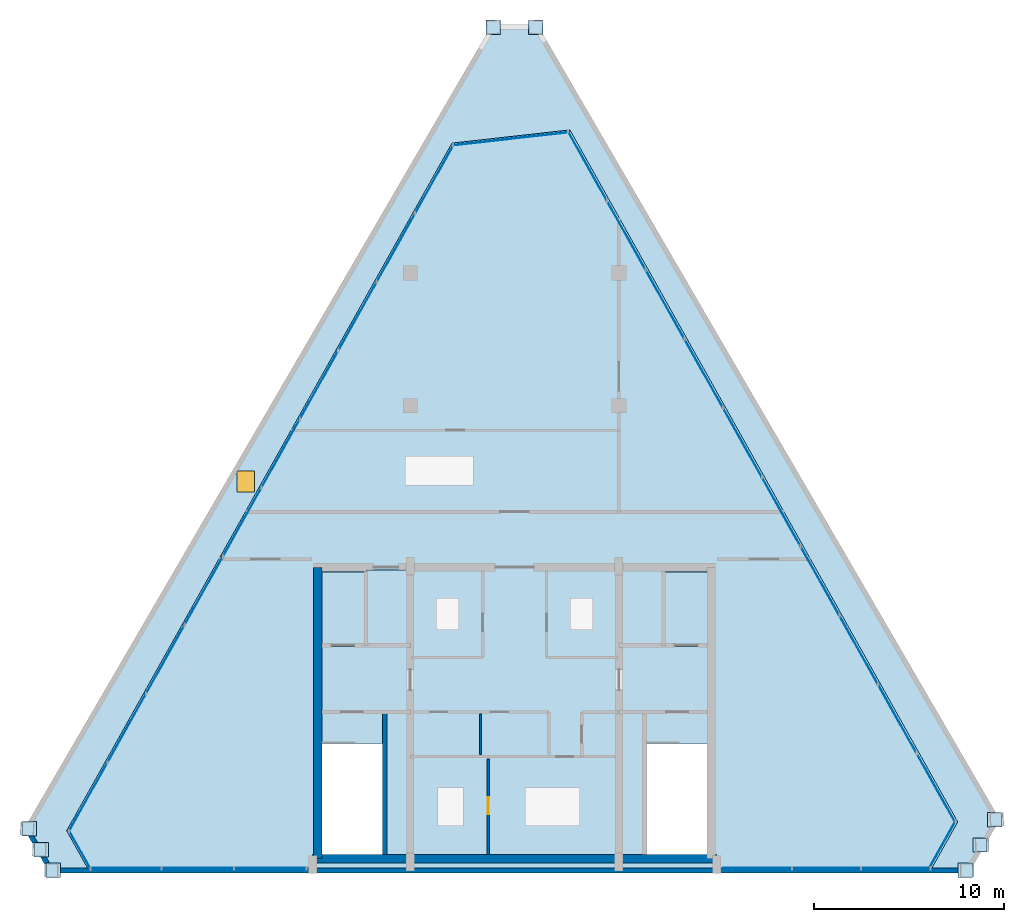
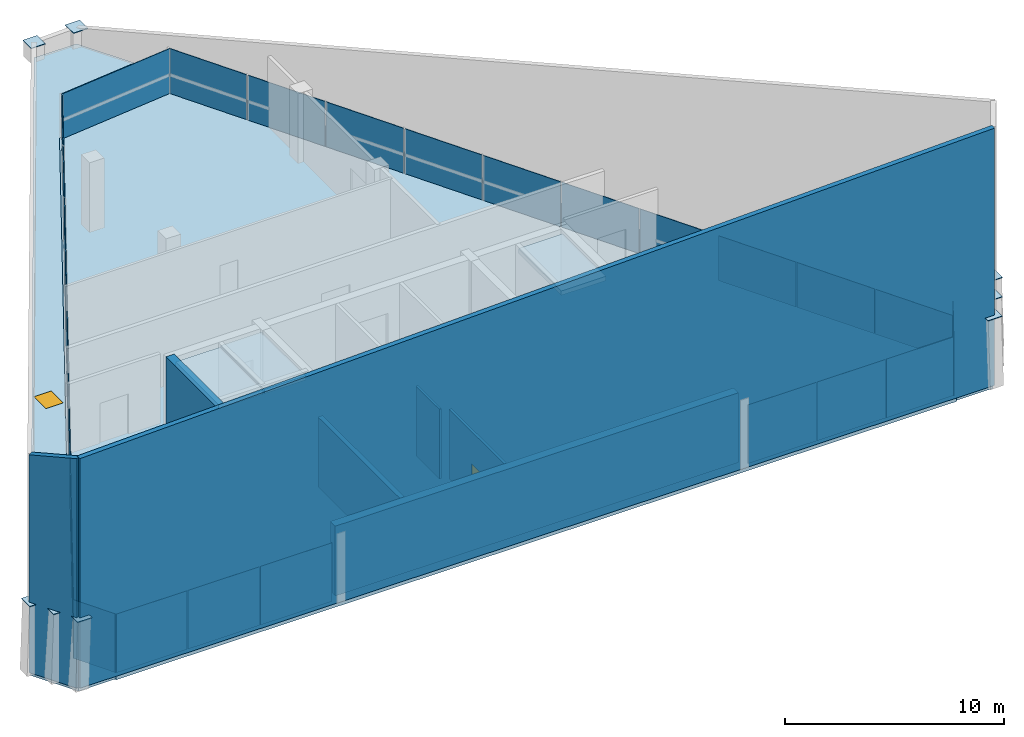
# One storey, part 5 of 8: 37 plates, 7 walls, 5 slabs, 2 doors, 2 openings, 7 elements without a shape of their own.
"""IFC4 building model written with IfcOpenShell, lengths in metres."""

from ifc_helpers import new_model, si_unit, direction, frame, frame_2d, origin, origin_2d, place, context, subcontext, project, spatial, polyline, rectangle, outline, extrude, source, transform, mapped, material, layer, layer_set, type_object, type_shapes, element, fill, aggregate, save


model = new_model("IFC4")

# Units and contexts
model_context = context("Model", 3, precision=1e-05, world=origin(), true_north=direction((0.0, 1.0)))
body_context = subcontext(model_context, "Body", "Model", "MODEL_VIEW")
ifc_project = project(units=[si_unit("LENGTHUNIT", "METRE"), si_unit("AREAUNIT", "SQUARE_METRE"), si_unit("VOLUMEUNIT", "CUBIC_METRE"), si_unit("PLANEANGLEUNIT", "RADIAN"), si_unit("MASSUNIT", "GRAM", prefix="KILO")], contexts=[model_context])

# Site, building, storey
site_placement = place(None, origin())
site = spatial("IfcSite", under=ifc_project, at=site_placement, CompositionType="ELEMENT")
building_placement = place(site_placement, origin())
building = spatial("IfcBuilding", under=site, at=building_placement, Name="Varnakhor Terracotta Tower", CompositionType="ELEMENT")
storey_placement = place(building_placement, frame((0.0, 0.0, 329.199951171875)))
storey = spatial("IfcBuildingStorey", under=building, at=storey_placement, Name="L86 Crown", CompositionType="ELEMENT", Elevation=329.199951171875)

# Slabs
ifc_material_1 = material(Name="Concrete C40/50", Category="concrete")
ifc_layer_1 = layer(ifc_material_1, 0.300048828125, Name="Concrete C40/50")
ifc_layer_set_1 = layer_set([ifc_layer_1], Name="Concrete C40/50")
slab_type_1 = type_object("IfcSlabType", Name="SLB-PLANT-300", PredefinedType="FLOOR", material=ifc_layer_set_1)
slab_1_placement = place(storey_placement, frame((0.0, 0.0, -0.300048828125)))
element("IfcSlab", 1, at=slab_1_placement, inside=storey, type_object=slab_type_1, Name="L86 Crown Structural Floor Slab", PredefinedType="FLOOR", context=body_context, shape_type="SweptSolid", body=[
    extrude(outline(polyline([(21.929443359375, 0.0), (-22.4501953125, 0.0), (-23.62158203125, 2.090576171875), (-3.304931640625, 38.345703125), (2.91357421875, 39.0439453125), (23.361328125, 2.55517578125), (21.929443359375, 0.0)]), holes=[polyline([(-6.949951171875, 6.695068359375), (-10.14990234375, 6.695068359375), (-10.14990234375, 0.85009765625), (-6.949951171875, 0.85009765625), (-6.949951171875, 6.695068359375)]), polyline([(10.14990234375, 6.695068359375), (6.949951171875, 6.695068359375), (6.949951171875, 0.85009765625), (10.14990234375, 0.85009765625), (10.14990234375, 6.695068359375)]), polyline([(-7.949951171875, 15.64990234375), (-10.14990234375, 15.64990234375), (-10.14990234375, 11.8798828125), (-7.949951171875, 11.8798828125), (-7.949951171875, 15.64990234375)]), polyline([(10.14990234375, 11.8798828125), (10.14990234375, 15.64990234375), (7.949951171875, 15.64990234375), (7.949951171875, 11.8798828125), (10.14990234375, 11.8798828125)]), polyline([(-5.699951171875, 11.8798828125), (-5.699951171875, 15.75), (-7.72998046875, 15.75), (-7.72998046875, 11.8798828125), (-5.699951171875, 11.8798828125)])]), origin(), (0.0, 0.0, 1.0), 0.300048828125),
])
slab_2_placement = place(storey_placement, frame((0.0, 0.0, 3.385009765625)))
element("IfcSlab", 2, at=slab_2_placement, inside=storey, type_object=slab_type_1, Name="Lift FFL-1 Hoistway Overrun Cap Slab", PredefinedType="FLOOR", context=body_context, shape_type="SweptSolid", body=[
    extrude(outline(polyline([(-10.22998046875, 11.800048828125), (-7.8701171875, 11.800048828125), (-7.8701171875, 15.72998046875), (-10.22998046875, 15.72998046875), (-10.22998046875, 11.800048828125)])), origin(), (0.0, 0.0, 1.0), 0.25),
])
slab_3_placement = place(storey_placement, frame((0.0, 0.0, 3.385009765625)))
element("IfcSlab", 3, at=slab_3_placement, inside=storey, type_object=slab_type_1, Name="Lift FFL-2 Hoistway Overrun Cap Slab", PredefinedType="FLOOR", context=body_context, shape_type="SweptSolid", body=[
    extrude(outline(polyline([(7.8701171875, 11.800048828125), (10.22998046875, 11.800048828125), (10.22998046875, 15.72998046875), (7.8701171875, 15.72998046875), (7.8701171875, 11.800048828125)])), origin(), (0.0, 0.0, 1.0), 0.25),
])
slab_4_placement = place(storey_placement, frame((0.0, 0.0, 3.385009765625)))
element("IfcSlab", 4, at=slab_4_placement, inside=storey, type_object=slab_type_1, Name="Lift SVL-1 Hoistway Overrun Cap Slab", PredefinedType="FLOOR", context=body_context, shape_type="SweptSolid", body=[
    extrude(outline(polyline([(-7.81005859375, 11.800048828125), (-5.6201171875, 11.800048828125), (-5.6201171875, 15.830078125), (-7.81005859375, 15.830078125), (-7.81005859375, 11.800048828125)])), origin(), (0.0, 0.0, 1.0), 0.25),
])

# Slab, opening, door
ifc_layer_2 = layer(ifc_material_1, 0.239990234375, Name="Concrete C40/50")
ifc_layer_set_2 = layer_set([ifc_layer_2], Name="Concrete C40/50")
slab_type_2 = type_object("IfcSlabType", Name="SLB-ROOF-FLAT-240", PredefinedType="ROOF", material=ifc_layer_set_2)
slab_5_placement = place(storey_placement, frame((0.0, 0.0, -0.239990234375)))
slab_5 = element("IfcSlab", 5, at=slab_5_placement, inside=storey, type_object=slab_type_2, Name="L86 Crown Perimeter Closure Slab 1", PredefinedType="ROOF", context=body_context, shape_type="SweptSolid", body=[
    extrude(outline(polyline([(-24.442138671875, 0.0), (-25.7177734375, 2.192138671875), (-1.1201171875, 44.468017578125), (1.1201171875, 44.468017578125), (25.43408203125, 2.67919921875), (23.87548828125, 0.0), (21.929443359375, 0.0), (23.361328125, 2.55517578125), (2.91357421875, 39.0439453125), (-3.304931640625, 38.345703125), (-23.62158203125, 2.090576171875), (-22.4501953125, 0.0), (-24.442138671875, 0.0)])), origin(), (0.0, 0.0, 1.0), 0.239990234375),
])
opening_1_placement = place(slab_5_placement, frame((-14.177978515625, 20.511962890625, -0.010009765625)))
opening_1 = element("IfcOpeningElement", 6, at=opening_1_placement, cuts=slab_5, Name="Opening DR-81", PredefinedType="OPENING", context=body_context, shape_type="SweptSolid", body=[
    extrude(rectangle(XDim=0.89990234375, YDim=1.10009765625, at=origin_2d()), origin(), (0.0, 0.0, 1.0), 0.260009765625),
])
ifc_material_2 = material(Name="Insulated Aluminium Roof Maintenance Hatch Door", Category="aluminium")
door_type_1 = type_object("IfcDoorType", Name="DR-TRAP-1000X1200", OperationType="NOTDEFINED", PredefinedType="TRAPDOOR", material=ifc_material_2)
door_1_placement = place(slab_5_placement, frame((-14.177978515625, 20.511962890625, 0.18994140625)))
door_1 = element("IfcDoor", 7, at=door_1_placement, inside=storey, type_object=door_type_1, Name="Crown Roof Maintenance Access Hatch", OperationType="SINGLE_SWING_LEFT", OverallHeight=1.10009765625, OverallWidth=0.89990234375, PredefinedType="TRAPDOOR", context=body_context, shape_type="SweptSolid", body=[
    extrude(rectangle(XDim=0.89990234375, YDim=1.10009765625, at=origin_2d()), origin(), (0.0, 0.0, 1.0), 0.050048828125),
])
fill(opening_1, door_1)

# Plates
ifc_material_3 = material(Name="Steel S355", Category="steel")
ifc_layer_3 = layer(ifc_material_3, 0.0400390625, Name="Steel S355")
ifc_layer_set_3 = layer_set([ifc_layer_3], Name="Steel S355")
plate_type_1 = type_object("IfcPlateType", Name="PLT-CAP-40", PredefinedType="USERDEFINED", material=ifc_layer_set_3)
shared_shape_1 = source(origin(), body_context, "Body", "SweptSolid", [
    extrude(rectangle(XDim=0.760009765625, YDim=0.760009765625, at=origin_2d()), origin(), (0.0, 0.0, 1.0), 0.035888671875),
])
for number, where, z_axis, x_axis, name in (
    (8, (-24.32421875, 0.0, 3.8955078125), (0.0, 0.0, 1.0), (1.0, 0.0, 0.0), "L86 Crown Crown Mega-Column M1 Cap Plate"),
    (9, (23.760009765625, 0.0, 3.8955078125), (0.0, 0.0, 1.0), (1.0, 0.0, 0.0), "L86 Crown Crown Mega-Column M2 Cap Plate"),
    (10, (24.535888671875, 1.336669921875, 3.8955078125), (0.0, 0.0, 1.0), (1.0, 0.0, 0.0), "L86 Crown Crown Mega-Column M3 Cap Plate"),
    (11, (25.311279296875, 2.67333984375, 3.8955078125), (0.0, 0.0, 1.0), (1.0, 0.0, 0.0), "L86 Crown Crown Mega-Column M4 Cap Plate"),
    (12, (1.118896484375, 44.444091796875, 0.9423828125), (0.0, 0.0, 1.0), (1.0, 0.0, 0.0), "L86 Crown Crown Mega-Column M5 Cap Plate"),
    (13, (-1.118896484375, 44.44580078125, 0.87060546875), (0.0, 0.0, 1.0), (1.0, 0.0, 0.0), "L86 Crown Crown Mega-Column M6 Cap Plate"),
    (14, (-25.593505859375, 2.187255859375, 3.8955078125), (0.0, 0.0, 1.0), (1.0, 0.0, 0.0), "L86 Crown Crown Mega-Column M7 Cap Plate"),
    (15, (-24.958740234375, 1.093505859375, 3.8955078125), (0.0, 0.0, 1.0), (1.0, 0.0, 0.0), "L86 Crown Crown Mega-Column M8 Cap Plate"),
):
    element("IfcPlate", number, at=place(storey_placement, frame(where, z_axis=z_axis, x_axis=x_axis)), inside=storey, type_object=plate_type_1, Name=name, ObjectType="CAP PLATE", PredefinedType="USERDEFINED", context=body_context, shape_type="MappedRepresentation", body=[
        mapped(shared_shape_1, transform((0.0, 0.0, 0.0), scale=1.0)),
    ])

# Curtain wall, plate
ifc_material_4 = material(Name="Anodised Aluminium Curtain Wall System", Category="aluminium")
curtain_wall_type = type_object("IfcCurtainWallType", Name="CW-SYS-CROWN", PredefinedType="NOTDEFINED", material=ifc_material_4)
curtain_wall_1_placement = place(storey_placement, origin())
curtain_wall_1 = element("IfcCurtainWall", 16, at=curtain_wall_1_placement, inside=storey, type_object=curtain_wall_type, Name="L86 Crown Facet Curtain Wall 1", PredefinedType="NOTDEFINED")
ifc_material_5 = material(Name="Solar-Control Low-E Insulated Glass Panel", Category="glass")
ifc_layer_4 = layer(ifc_material_5, 0.0400390625, Name="Solar-Control Low-E Insulated Glass Panel")
ifc_layer_set_4 = layer_set([ifc_layer_4], Name="Solar-Control Low-E Insulated Glass Panel")
plate_type_2 = type_object("IfcPlateType", Name="CWP-06", PredefinedType="CURTAIN_PANEL", material=ifc_layer_set_4)
shared_shape_2 = source(origin(), body_context, "Body", "SweptSolid", [
    extrude(rectangle(XDim=2.8291015625, YDim=0.035888671875, at=origin_2d()), origin(), (0.0, 0.0, 1.0), 3.280029296875),
])
plate_1_placement = place(storey_placement, frame((22.540771484375, 1.336181640625, 0.0), z_axis=(0.0, 0.0, 1.0), x_axis=(-0.48884964367, -0.872368056432, 0.0)))
plate_1 = element("IfcPlate", 17, at=plate_1_placement, type_object=plate_type_2, Name="L86 Crown Facet Curtain Wall 1 Glazed Panel 1", PredefinedType="CURTAIN_PANEL", context=body_context, shape_type="MappedRepresentation", body=[
    mapped(shared_shape_2, transform((0.0, 0.0, 0.0), scale=1.0)),
])
aggregate(curtain_wall_1, [plate_1])

# Curtain wall, plates
curtain_wall_2_placement = place(storey_placement, origin())
curtain_wall_2 = element("IfcCurtainWall", 18, at=curtain_wall_2_placement, inside=storey, type_object=curtain_wall_type, Name="L86 Crown South Wing Curtain Wall SSE", PredefinedType="NOTDEFINED")
shared_shape_3 = source(origin(), body_context, "Body", "SweptSolid", [
    extrude(rectangle(XDim=3.60986328125, YDim=0.035888671875, at=origin_2d()), origin(), (0.0, 0.0, 1.0), 3.280029296875),
])
plate_2_placement = place(storey_placement, frame((20.094482421875, 0.1201171875, 0.0), z_axis=(0.0, 0.0, 1.0), x_axis=(-1.0, 0.0, 0.0)))
plate_2 = element("IfcPlate", 19, at=plate_2_placement, type_object=plate_type_2, Name="L86 Crown South Wing Curtain Wall SSE Glazed Panel 1", PredefinedType="CURTAIN_PANEL", context=body_context, shape_type="MappedRepresentation", body=[
    mapped(shared_shape_3, transform((0.0, 0.0, 0.0), scale=1.0)),
])
plate_3_placement = place(storey_placement, frame((16.444580078125, 0.1201171875, 0.0), z_axis=(0.0, 0.0, 1.0), x_axis=(-1.0, 0.0, 0.0)))
plate_3 = element("IfcPlate", 20, at=plate_3_placement, type_object=plate_type_2, Name="L86 Crown South Wing Curtain Wall SSE Glazed Panel 2", PredefinedType="CURTAIN_PANEL", context=body_context, shape_type="MappedRepresentation", body=[
    mapped(shared_shape_3, transform((0.0, 0.0, 0.0), scale=1.0)),
])
plate_4_placement = place(storey_placement, frame((12.794921875, 0.1201171875, 0.0), z_axis=(0.0, 0.0, 1.0), x_axis=(-1.0, 0.0, 0.0)))
plate_4 = element("IfcPlate", 21, at=plate_4_placement, type_object=plate_type_2, Name="L86 Crown South Wing Curtain Wall SSE Glazed Panel 3", PredefinedType="CURTAIN_PANEL", context=body_context, shape_type="MappedRepresentation", body=[
    mapped(shared_shape_3, transform((0.0, 0.0, 0.0), scale=1.0)),
])
aggregate(curtain_wall_2, [plate_2, plate_3, plate_4])

curtain_wall_3_placement = place(storey_placement, origin())
curtain_wall_3 = element("IfcCurtainWall", 22, at=curtain_wall_3_placement, inside=storey, type_object=curtain_wall_type, Name="L86 Crown South Wing Curtain Wall SSW", PredefinedType="NOTDEFINED")
shared_shape_4 = source(origin(), body_context, "Body", "SweptSolid", [
    extrude(rectangle(XDim=3.783447265625, YDim=0.035888671875, at=origin_2d()), origin(), (0.0, 0.0, 1.0), 3.280029296875),
])
plate_5_placement = place(storey_placement, frame((-12.881591796875, 0.1201171875, 0.0), z_axis=(0.0, 0.0, 1.0), x_axis=(-1.0, 0.0, 0.0)))
plate_5 = element("IfcPlate", 23, at=plate_5_placement, type_object=plate_type_2, Name="L86 Crown South Wing Curtain Wall SSW Glazed Panel 1", PredefinedType="CURTAIN_PANEL", context=body_context, shape_type="MappedRepresentation", body=[
    mapped(shared_shape_4, transform((0.0, 0.0, 0.0), scale=1.0)),
])
plate_6_placement = place(storey_placement, frame((-20.5283203125, 0.1201171875, 0.0), z_axis=(0.0, 0.0, 1.0), x_axis=(-1.0, 0.0, 0.0)))
plate_6 = element("IfcPlate", 24, at=plate_6_placement, type_object=plate_type_2, Name="L86 Crown South Wing Curtain Wall SSW Glazed Panel 3", PredefinedType="CURTAIN_PANEL", context=body_context, shape_type="MappedRepresentation", body=[
    mapped(shared_shape_4, transform((0.0, 0.0, 0.0), scale=1.0)),
])
shared_shape_5 = source(origin(), body_context, "Body", "SweptSolid", [
    extrude(rectangle(XDim=3.783203125, YDim=0.035888671875, at=origin_2d()), origin(), (0.0, 0.0, 1.0), 3.280029296875),
])
plate_7_placement = place(storey_placement, frame((-16.705078125, 0.1201171875, 0.0), z_axis=(0.0, 0.0, 1.0), x_axis=(-1.0, 0.0, 0.0)))
plate_7 = element("IfcPlate", 25, at=plate_7_placement, type_object=plate_type_2, Name="L86 Crown South Wing Curtain Wall SSW Glazed Panel 2", PredefinedType="CURTAIN_PANEL", context=body_context, shape_type="MappedRepresentation", body=[
    mapped(shared_shape_5, transform((0.0, 0.0, 0.0), scale=1.0)),
])
aggregate(curtain_wall_3, [plate_5, plate_7, plate_6])

# Curtain wall, plate
curtain_wall_4_placement = place(storey_placement, origin())
curtain_wall_4 = element("IfcCurtainWall", 26, at=curtain_wall_4_placement, inside=storey, type_object=curtain_wall_type, Name="L86 Crown Facet Curtain Wall 3", PredefinedType="NOTDEFINED")
shared_shape_6 = source(origin(), body_context, "Body", "SweptSolid", [
    extrude(rectangle(XDim=2.29638671875, YDim=0.035888671875, at=origin_2d()), origin(), (0.0, 0.0, 1.0), 3.280029296875),
])
plate_8_placement = place(storey_placement, frame((-22.93115234375, 1.10400390625, 0.0), z_axis=(0.0, 0.0, 1.0), x_axis=(-0.48886486929, 0.872359524264, 0.0)))
plate_8 = element("IfcPlate", 27, at=plate_8_placement, type_object=plate_type_2, Name="L86 Crown Facet Curtain Wall 3 Glazed Panel 1", PredefinedType="CURTAIN_PANEL", context=body_context, shape_type="MappedRepresentation", body=[
    mapped(shared_shape_6, transform((0.0, 0.0, 0.0), scale=1.0)),
])
aggregate(curtain_wall_4, [plate_8])

# Curtain wall, plates
curtain_wall_5_placement = place(storey_placement, origin())
curtain_wall_5 = element("IfcCurtainWall", 28, at=curtain_wall_5_placement, inside=storey, type_object=curtain_wall_type, Name="L86 Crown Facet Curtain Wall 4", PredefinedType="NOTDEFINED")
shared_shape_7 = source(origin(), body_context, "Body", "SweptSolid", [
    extrude(rectangle(XDim=4.110107421875, YDim=0.035888671875, at=origin_2d()), origin(), (0.0, 0.0, 1.0), 2.510009765625),
])
plate_9_placement = place(storey_placement, frame((-22.48779296875, 3.8681640625, 0.0), z_axis=(0.0, 0.0, 1.0), x_axis=(0.48884964367, 0.872368056432, 0.0)))
plate_9 = element("IfcPlate", 29, at=plate_9_placement, type_object=plate_type_2, Name="L86 Crown Facet Curtain Wall 4 Glazed Panel 1", PredefinedType="CURTAIN_PANEL", context=body_context, shape_type="MappedRepresentation", body=[
    mapped(shared_shape_7, transform((0.0, 0.0, 0.0), scale=1.0)),
])
plate_10_placement = place(storey_placement, frame((-20.459228515625, 7.488525390625, 0.0), z_axis=(0.0, 0.0, 1.0), x_axis=(0.48884964367, 0.872368056432, 0.0)))
plate_10 = element("IfcPlate", 30, at=plate_10_placement, type_object=plate_type_2, Name="L86 Crown Facet Curtain Wall 4 Glazed Panel 2", PredefinedType="CURTAIN_PANEL", context=body_context, shape_type="MappedRepresentation", body=[
    mapped(shared_shape_7, transform((0.0, 0.0, 0.0), scale=1.0)),
])
plate_11_placement = place(storey_placement, frame((-18.430419921875, 11.10888671875, 0.0), z_axis=(0.0, 0.0, 1.0), x_axis=(0.48884964367, 0.872368056432, 0.0)))
plate_11 = element("IfcPlate", 31, at=plate_11_placement, type_object=plate_type_2, Name="L86 Crown Facet Curtain Wall 4 Glazed Panel 3", PredefinedType="CURTAIN_PANEL", context=body_context, shape_type="MappedRepresentation", body=[
    mapped(shared_shape_7, transform((0.0, 0.0, 0.0), scale=1.0)),
])
plate_12_placement = place(storey_placement, frame((-16.401611328125, 14.72900390625, 0.0), z_axis=(0.0, 0.0, 1.0), x_axis=(0.48884964367, 0.872368056432, 0.0)))
plate_12 = element("IfcPlate", 32, at=plate_12_placement, type_object=plate_type_2, Name="L86 Crown Facet Curtain Wall 4 Glazed Panel 4", PredefinedType="CURTAIN_PANEL", context=body_context, shape_type="MappedRepresentation", body=[
    mapped(shared_shape_7, transform((0.0, 0.0, 0.0), scale=1.0)),
])
plate_13_placement = place(storey_placement, frame((-14.372802734375, 18.349365234375, 0.0), z_axis=(0.0, 0.0, 1.0), x_axis=(0.48884964367, 0.872368056432, 0.0)))
plate_13 = element("IfcPlate", 33, at=plate_13_placement, type_object=plate_type_2, Name="L86 Crown Facet Curtain Wall 4 Glazed Panel 5", PredefinedType="CURTAIN_PANEL", context=body_context, shape_type="MappedRepresentation", body=[
    mapped(shared_shape_7, transform((0.0, 0.0, 0.0), scale=1.0)),
])
plate_14_placement = place(storey_placement, frame((-12.34423828125, 21.9697265625, 0.0), z_axis=(0.0, 0.0, 1.0), x_axis=(0.48884964367, 0.872368056432, 0.0)))
plate_14 = element("IfcPlate", 34, at=plate_14_placement, type_object=plate_type_2, Name="L86 Crown Facet Curtain Wall 4 Glazed Panel 6", PredefinedType="CURTAIN_PANEL", context=body_context, shape_type="MappedRepresentation", body=[
    mapped(shared_shape_7, transform((0.0, 0.0, 0.0), scale=1.0)),
])
plate_15_placement = place(storey_placement, frame((-10.3154296875, 25.590087890625, 0.0), z_axis=(0.0, 0.0, 1.0), x_axis=(0.48884964367, 0.872368056432, 0.0)))
plate_15 = element("IfcPlate", 35, at=plate_15_placement, type_object=plate_type_2, Name="L86 Crown Facet Curtain Wall 4 Glazed Panel 7", PredefinedType="CURTAIN_PANEL", context=body_context, shape_type="MappedRepresentation", body=[
    mapped(shared_shape_7, transform((0.0, 0.0, 0.0), scale=1.0)),
])
plate_16_placement = place(storey_placement, frame((-8.28662109375, 29.210205078125, 0.0), z_axis=(0.0, 0.0, 1.0), x_axis=(0.48884964367, 0.872368056432, 0.0)))
plate_16 = element("IfcPlate", 36, at=plate_16_placement, type_object=plate_type_2, Name="L86 Crown Facet Curtain Wall 4 Glazed Panel 8", PredefinedType="CURTAIN_PANEL", context=body_context, shape_type="MappedRepresentation", body=[
    mapped(shared_shape_7, transform((0.0, 0.0, 0.0), scale=1.0)),
])
plate_17_placement = place(storey_placement, frame((-6.258056640625, 32.83056640625, 0.0), z_axis=(0.0, 0.0, 1.0), x_axis=(0.48884964367, 0.872368056432, 0.0)))
plate_17 = element("IfcPlate", 37, at=plate_17_placement, type_object=plate_type_2, Name="L86 Crown Facet Curtain Wall 4 Glazed Panel 9", PredefinedType="CURTAIN_PANEL", context=body_context, shape_type="MappedRepresentation", body=[
    mapped(shared_shape_7, transform((0.0, 0.0, 0.0), scale=1.0)),
])
plate_18_placement = place(storey_placement, frame((-4.229248046875, 36.450927734375, 0.0), z_axis=(0.0, 0.0, 1.0), x_axis=(0.48884964367, 0.872368056432, 0.0)))
plate_18 = element("IfcPlate", 38, at=plate_18_placement, type_object=plate_type_2, Name="L86 Crown Facet Curtain Wall 4 Glazed Panel 10", PredefinedType="CURTAIN_PANEL", context=body_context, shape_type="MappedRepresentation", body=[
    mapped(shared_shape_7, transform((0.0, 0.0, 0.0), scale=1.0)),
])
aggregate(curtain_wall_5, [plate_9, plate_10, plate_11, plate_12, plate_13, plate_14, plate_15, plate_16, plate_17, plate_18])

# Curtain wall, plate
curtain_wall_6_placement = place(storey_placement, origin())
curtain_wall_6 = element("IfcCurtainWall", 39, at=curtain_wall_6_placement, inside=storey, type_object=curtain_wall_type, Name="L86 Crown Facet Curtain Wall 5", PredefinedType="NOTDEFINED")
shared_shape_8 = source(origin(), body_context, "Body", "SweptSolid", [
    extrude(rectangle(XDim=6.15771484375, YDim=0.035888671875, at=origin_2d()), origin(), (0.0, 0.0, 1.0), 2.510009765625),
])
plate_19_placement = place(storey_placement, frame((-0.18212890625, 38.57568359375, 0.0), z_axis=(0.0, 0.0, 1.0), x_axis=(0.993756240712, 0.111572998728, 0.0)))
plate_19 = element("IfcPlate", 40, at=plate_19_placement, type_object=plate_type_2, Name="L86 Crown Facet Curtain Wall 5 Glazed Panel 1", PredefinedType="CURTAIN_PANEL", context=body_context, shape_type="MappedRepresentation", body=[
    mapped(shared_shape_8, transform((0.0, 0.0, 0.0), scale=1.0)),
])
aggregate(curtain_wall_6, [plate_19])

# Curtain wall, plates
curtain_wall_7_placement = place(storey_placement, origin())
curtain_wall_7 = element("IfcCurtainWall", 41, at=curtain_wall_7_placement, inside=storey, type_object=curtain_wall_type, Name="L86 Crown Facet Curtain Wall 6", PredefinedType="NOTDEFINED")
shared_shape_9 = source(origin(), body_context, "Body", "SweptSolid", [
    extrude(rectangle(XDim=4.13671875, YDim=0.035888671875, at=origin_2d()), origin(), (0.0, 0.0, 1.0), 2.510009765625),
])
plate_20_placement = place(storey_placement, frame((3.844482421875, 37.13720703125, 0.0), z_axis=(0.0, 0.0, 1.0), x_axis=(0.48884964367, -0.872368056432, 0.0)))
plate_20 = element("IfcPlate", 42, at=plate_20_placement, type_object=plate_type_2, Name="L86 Crown Facet Curtain Wall 6 Glazed Panel 1", PredefinedType="CURTAIN_PANEL", context=body_context, shape_type="MappedRepresentation", body=[
    mapped(shared_shape_9, transform((0.0, 0.0, 0.0), scale=1.0)),
])
plate_21_placement = place(storey_placement, frame((5.886474609375, 33.49365234375, 0.0), z_axis=(0.0, 0.0, 1.0), x_axis=(0.48884964367, -0.872368056432, 0.0)))
plate_21 = element("IfcPlate", 43, at=plate_21_placement, type_object=plate_type_2, Name="L86 Crown Facet Curtain Wall 6 Glazed Panel 2", PredefinedType="CURTAIN_PANEL", context=body_context, shape_type="MappedRepresentation", body=[
    mapped(shared_shape_9, transform((0.0, 0.0, 0.0), scale=1.0)),
])
plate_22_placement = place(storey_placement, frame((7.92822265625, 29.85009765625, 0.0), z_axis=(0.0, 0.0, 1.0), x_axis=(0.48884964367, -0.872368056432, 0.0)))
plate_22 = element("IfcPlate", 44, at=plate_22_placement, type_object=plate_type_2, Name="L86 Crown Facet Curtain Wall 6 Glazed Panel 3", PredefinedType="CURTAIN_PANEL", context=body_context, shape_type="MappedRepresentation", body=[
    mapped(shared_shape_9, transform((0.0, 0.0, 0.0), scale=1.0)),
])
plate_23_placement = place(storey_placement, frame((9.969970703125, 26.206298828125, 0.0), z_axis=(0.0, 0.0, 1.0), x_axis=(0.48884964367, -0.872368056432, 0.0)))
plate_23 = element("IfcPlate", 45, at=plate_23_placement, type_object=plate_type_2, Name="L86 Crown Facet Curtain Wall 6 Glazed Panel 4", PredefinedType="CURTAIN_PANEL", context=body_context, shape_type="MappedRepresentation", body=[
    mapped(shared_shape_9, transform((0.0, 0.0, 0.0), scale=1.0)),
])
plate_24_placement = place(storey_placement, frame((12.01171875, 22.562744140625, 0.0), z_axis=(0.0, 0.0, 1.0), x_axis=(0.48884964367, -0.872368056432, 0.0)))
plate_24 = element("IfcPlate", 46, at=plate_24_placement, type_object=plate_type_2, Name="L86 Crown Facet Curtain Wall 6 Glazed Panel 5", PredefinedType="CURTAIN_PANEL", context=body_context, shape_type="MappedRepresentation", body=[
    mapped(shared_shape_9, transform((0.0, 0.0, 0.0), scale=1.0)),
])
plate_25_placement = place(storey_placement, frame((14.0537109375, 18.9189453125, 0.0), z_axis=(0.0, 0.0, 1.0), x_axis=(0.48884964367, -0.872368056432, 0.0)))
plate_25 = element("IfcPlate", 47, at=plate_25_placement, type_object=plate_type_2, Name="L86 Crown Facet Curtain Wall 6 Glazed Panel 6", PredefinedType="CURTAIN_PANEL", context=body_context, shape_type="MappedRepresentation", body=[
    mapped(shared_shape_9, transform((0.0, 0.0, 0.0), scale=1.0)),
])
plate_26_placement = place(storey_placement, frame((16.095458984375, 15.275390625, 0.0), z_axis=(0.0, 0.0, 1.0), x_axis=(0.48884964367, -0.872368056432, 0.0)))
plate_26 = element("IfcPlate", 48, at=plate_26_placement, type_object=plate_type_2, Name="L86 Crown Facet Curtain Wall 6 Glazed Panel 7", PredefinedType="CURTAIN_PANEL", context=body_context, shape_type="MappedRepresentation", body=[
    mapped(shared_shape_9, transform((0.0, 0.0, 0.0), scale=1.0)),
])
plate_27_placement = place(storey_placement, frame((18.13720703125, 11.6318359375, 0.0), z_axis=(0.0, 0.0, 1.0), x_axis=(0.48884964367, -0.872368056432, 0.0)))
plate_27 = element("IfcPlate", 49, at=plate_27_placement, type_object=plate_type_2, Name="L86 Crown Facet Curtain Wall 6 Glazed Panel 8", PredefinedType="CURTAIN_PANEL", context=body_context, shape_type="MappedRepresentation", body=[
    mapped(shared_shape_9, transform((0.0, 0.0, 0.0), scale=1.0)),
])
plate_28_placement = place(storey_placement, frame((20.17919921875, 7.988037109375, 0.0), z_axis=(0.0, 0.0, 1.0), x_axis=(0.48884964367, -0.872368056432, 0.0)))
plate_28 = element("IfcPlate", 50, at=plate_28_placement, type_object=plate_type_2, Name="L86 Crown Facet Curtain Wall 6 Glazed Panel 9", PredefinedType="CURTAIN_PANEL", context=body_context, shape_type="MappedRepresentation", body=[
    mapped(shared_shape_9, transform((0.0, 0.0, 0.0), scale=1.0)),
])
plate_29_placement = place(storey_placement, frame((22.220947265625, 4.344482421875, 0.0), z_axis=(0.0, 0.0, 1.0), x_axis=(0.48884964367, -0.872368056432, 0.0)))
plate_29 = element("IfcPlate", 51, at=plate_29_placement, type_object=plate_type_2, Name="L86 Crown Facet Curtain Wall 6 Glazed Panel 10", PredefinedType="CURTAIN_PANEL", context=body_context, shape_type="MappedRepresentation", body=[
    mapped(shared_shape_9, transform((0.0, 0.0, 0.0), scale=1.0)),
])
aggregate(curtain_wall_7, [plate_20, plate_21, plate_22, plate_23, plate_24, plate_25, plate_26, plate_27, plate_28, plate_29])

# Walls
ifc_material_6 = material(Name="Concrete C50/60", Category="concrete")
ifc_layer_5 = layer(ifc_material_6, 0.449951171875, Name="Concrete C50/60")
ifc_layer_set_5 = layer_set([ifc_layer_5], Name="Concrete C50/60")
wall_type_1 = type_object("IfcWallType", Name="WAL-CORE-450", PredefinedType="SHEAR", material=ifc_layer_set_5)
wall_1_placement = place(storey_placement, frame((-10.64990234375, 0.625, 0.0), z_axis=(0.0, 0.0, 1.0), x_axis=(1.0, 0.0, 0.0)))
element("IfcWall", 52, at=wall_1_placement, inside=storey, type_object=wall_type_1, Name="L86 Crown South Core Shear Wall", PredefinedType="SHEAR", context=body_context, shape_type="SweptSolid", body=[
    extrude(rectangle(XDim=21.2998046875, YDim=0.449951171875, at=frame_2d((10.64990234375, 0.0))), origin(), (0.0, 0.0, 1.0), 3.900146484375),
])
wall_2_placement = place(storey_placement, frame((-10.375, 0.625, 0.0), z_axis=(0.0, 0.0, 1.0), x_axis=(0.0, 1.0, 0.0)))
element("IfcWall", 53, at=wall_2_placement, inside=storey, type_object=wall_type_1, Name="L86 Crown West Core Shear Wall", PredefinedType="SHEAR", context=body_context, shape_type="SweptSolid", body=[
    extrude(rectangle(XDim=15.35009765625, YDim=0.449951171875, at=frame_2d((7.675048828125, 0.0))), origin(), (0.0, 0.0, 1.0), 3.900146484375),
])
ifc_material_7 = material(Name="Extruded Architectural Terracotta Parapet", Category="masonry")
ifc_layer_6 = layer(ifc_material_7, 0.260009765625, Name="Extruded Architectural Terracotta Parapet")
ifc_layer_set_6 = layer_set([ifc_layer_6], Name="Extruded Architectural Terracotta Parapet")
wall_type_2 = type_object("IfcWallType", Name="WAL-PARAPET-260", PredefinedType="PARAPET", material=ifc_layer_set_6)
wall_3_placement = place(storey_placement, frame((23.87548828125, 0.0, 0.0), z_axis=(0.0, 0.0, 1.0), x_axis=(-1.0, 0.0, 0.0)))
element("IfcWall", 54, at=wall_3_placement, inside=storey, type_object=wall_type_2, Name="Crown Sloped Terracotta Closure Wall 5", PredefinedType="PARAPET", context=body_context, shape_type="SweptSolid", body=[
    extrude(outline(polyline([(0.0, 0.0), (48.317626953125, 0.0), (48.317626953125, 12.822265625), (0.0, 14.368408203125), (0.0, 0.0)])), frame((0.0, 0.1298828125, 0.0), z_axis=(0.0, -1.0, 0.0), x_axis=(1.0, 0.0, 0.0)), (0.0, 0.0, 1.0), 0.260009765625),
])
wall_4_placement = place(storey_placement, frame((-24.442138671875, 0.0, 0.0), z_axis=(0.0, 0.0, 1.0), x_axis=(-0.502955031808, 0.864312580019, 0.0)))
element("IfcWall", 55, at=wall_4_placement, inside=storey, type_object=wall_type_2, Name="Crown Sloped Terracotta Closure Wall 6", PredefinedType="PARAPET", context=body_context, shape_type="SweptSolid", body=[
    extrude(outline(polyline([(0.0, 0.0), (2.536376953125, 0.0), (2.5361328125, 12.15673828125), (0.0, 12.822265625), (0.0, 0.0)])), frame((0.0, 0.1298828125, 0.0), z_axis=(0.0, -1.0, 0.0), x_axis=(1.0, 0.0, 0.0)), (0.0, 0.0, 1.0), 0.260009765625),
])
ifc_layer_7 = layer(ifc_material_1, 0.25, Name="Concrete C40/50")
ifc_layer_set_7 = layer_set([ifc_layer_7], Name="Concrete C40/50")
wall_type_3 = type_object("IfcWallType", Name="WAL-SHAFT-250", PredefinedType="SOLIDWALL", material=ifc_layer_set_7)
wall_5_placement = place(storey_placement, frame((-6.85009765625, 0.85009765625, 0.0), z_axis=(0.0, 0.0, 1.0), x_axis=(0.0, 1.0, 0.0)))
element("IfcWall", 56, at=wall_5_placement, inside=storey, type_object=wall_type_3, Name="L86 Crown Stair ST-1 Bearing Shaft Wall", PredefinedType="SOLIDWALL", context=body_context, shape_type="SweptSolid", body=[
    extrude(rectangle(XDim=7.5, YDim=0.25, at=frame_2d((3.75, 0.0))), origin(), (0.0, 0.0, 1.0), 3.900146484375),
])
ifc_material_8 = material(Name="Acoustic Fire-Rated Partition", Category="gypsum")
ifc_layer_8 = layer(ifc_material_8, 0.114990234375, Name="Acoustic Fire-Rated Partition")
ifc_layer_set_8 = layer_set([ifc_layer_8], Name="Acoustic Fire-Rated Partition")
wall_type_4 = type_object("IfcWallType", Name="WAL-TENANCY-115", PredefinedType="PARTITIONING", material=ifc_layer_set_8)
wall_6_placement = place(storey_placement, frame((-1.800048828125, 6.10009765625, 0.0), z_axis=(0.0, 0.0, 1.0), x_axis=(0.0, 1.0, 0.0)))
element("IfcWall", 57, at=wall_6_placement, inside=storey, type_object=wall_type_4, Name="L86 Crown Reclaimed Mid-Core Split Wall", PredefinedType="PARTITIONING", context=body_context, shape_type="SweptSolid", body=[
    extrude(rectangle(XDim=2.14990234375, YDim=0.114990234375, at=frame_2d((1.074951171875, 0.0))), origin(), (0.0, 0.0, 1.0), 3.89501953125),
])

# Wall, opening, door
ifc_layer_9 = layer(ifc_material_8, 0.139892578125, Name="Acoustic Fire-Rated Partition")
ifc_layer_set_9 = layer_set([ifc_layer_9], Name="Acoustic Fire-Rated Partition")
wall_type_5 = type_object("IfcWallType", Name="WAL-TENANCY-140", PredefinedType="PARTITIONING", material=ifc_layer_set_9)
wall_7_placement = place(storey_placement, frame((-1.39990234375, 0.85009765625, 0.0), z_axis=(0.0, 0.0, 1.0), x_axis=(0.0, 1.0, 0.0)))
wall_7 = element("IfcWall", 58, at=wall_7_placement, inside=storey, type_object=wall_type_5, Name="L86 Crown Reclaimed Core Bay Split Wall", PredefinedType="PARTITIONING", context=body_context, shape_type="SweptSolid", body=[
    extrude(rectangle(XDim=5.02978515625, YDim=0.139892578125, at=frame_2d((2.514892578125, 0.0))), origin(), (0.0, 0.0, 1.0), 3.89501953125),
])
opening_2_placement = place(wall_7_placement, frame((2.10009765625, 0.0, 0.0)))
opening_2 = element("IfcOpeningElement", 59, at=opening_2_placement, cuts=wall_7, Name="Opening DR-67", PredefinedType="OPENING", context=body_context, shape_type="SweptSolid", body=[
    extrude(rectangle(XDim=0.89990234375, YDim=2.10009765625, at=frame_2d((0.449951171875, 1.050048828125))), frame((0.0, 0.080078125, 0.0), z_axis=(0.0, -1.0, 0.0), x_axis=(1.0, 0.0, 0.0)), (0.0, 0.0, 1.0), 0.159912109375),
])
ifc_material_9 = material(Name="Steel Service Riser Fire Door", Category="steel")
door_type_2 = type_object("IfcDoorType", Name="DR-RISER-900X2100", OperationType="NOTDEFINED", PredefinedType="DOOR", material=ifc_material_9)
shared_shape_10 = source(origin(), body_context, "Body", "SweptSolid", [
    extrude(rectangle(XDim=0.89990234375, YDim=2.10009765625, at=frame_2d((0.449951171875, 1.050048828125))), frame((0.0, 0.02490234375, 0.0), z_axis=(0.0, -1.0, 0.0), x_axis=(1.0, 0.0, 0.0)), (0.0, 0.0, 1.0), 0.050048828125),
])
type_shapes(door_type_2, [shared_shape_10])
door_2_placement = place(opening_2_placement, origin())
door_2 = element("IfcDoor", 60, at=door_2_placement, inside=storey, type_object=door_type_2, Name="L86 Crown Core Inner Service Door", OperationType="SINGLE_SWING_RIGHT", OverallHeight=2.10009765625, OverallWidth=0.89990234375, PredefinedType="DOOR", context=body_context, shape_type="MappedRepresentation", body=[
    mapped(shared_shape_10, transform((0.0, 0.0, 0.0), scale=1.0)),
])
fill(opening_2, door_2)

save(model, "model.ifc")
